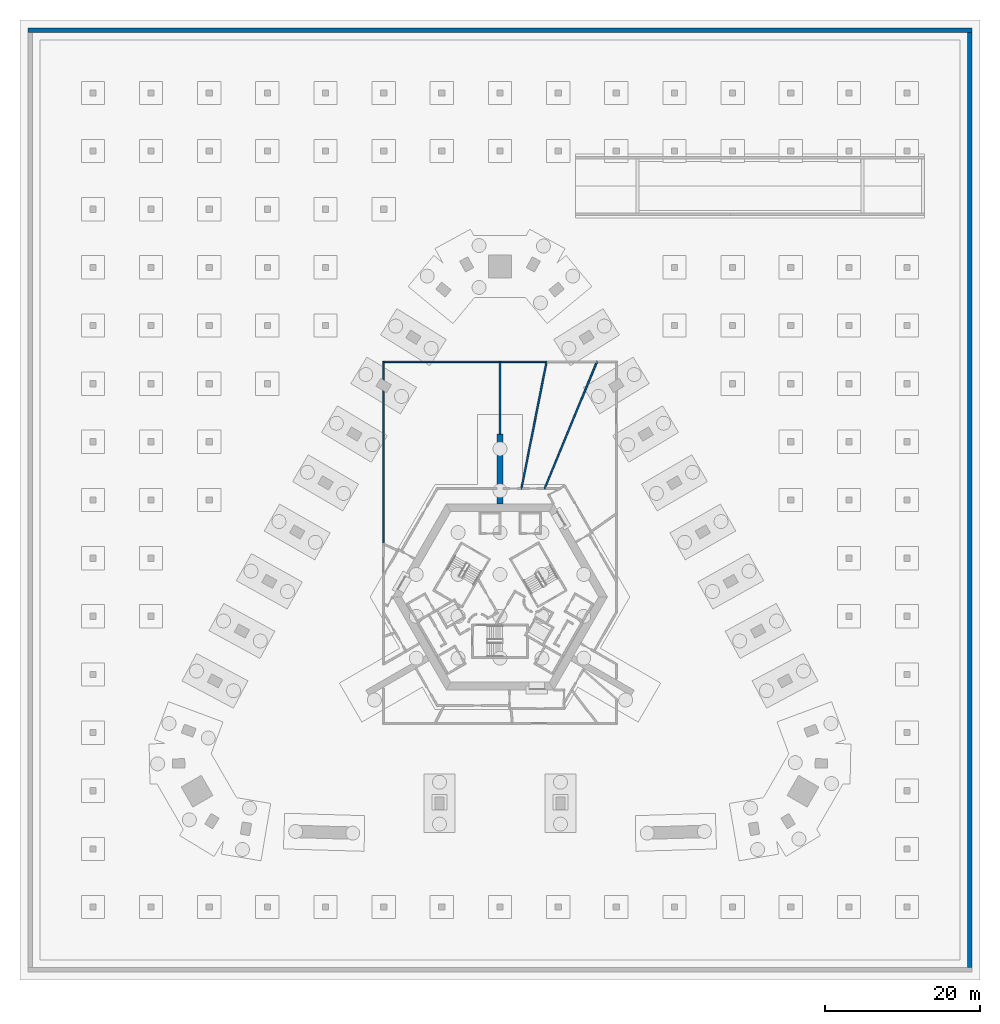
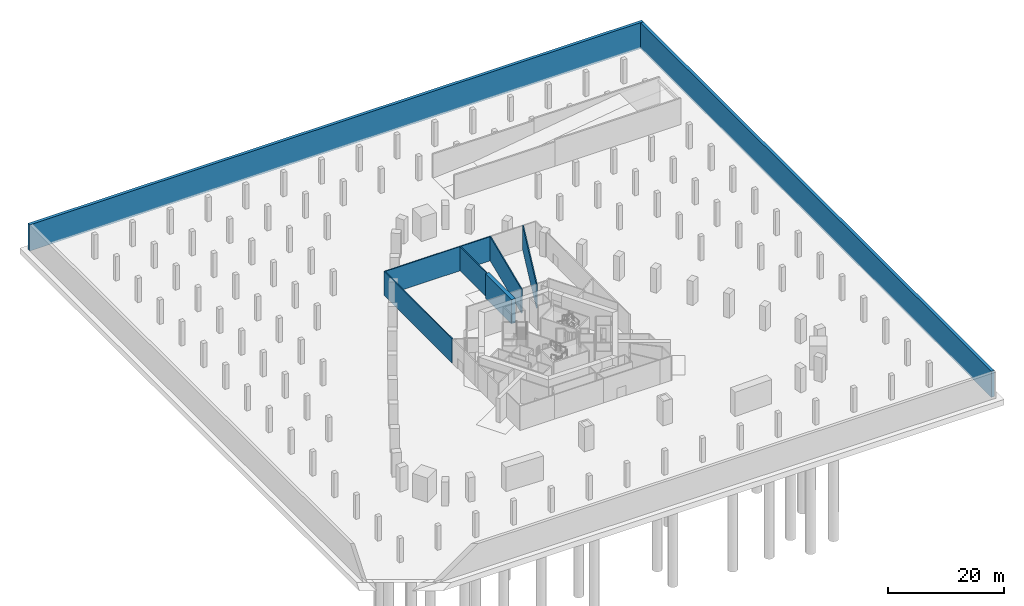
# One storey, part 9 of 14: 9 walls.
"""IFC4 building model written with IfcOpenShell, lengths in metres."""

from ifc_helpers import new_model, si_unit, direction, frame, frame_2d, origin, place, context, subcontext, project, spatial, polyline, rectangle, outline, extrude, material, layer, layer_set, type_object, element, save


model = new_model("IFC4")

# Units and contexts
model_context = context("Model", 3, precision=1e-05, world=origin(), true_north=direction((0.0, 1.0)))
body_context = subcontext(model_context, "Body", "Model", "MODEL_VIEW")
ifc_project = project(units=[si_unit("LENGTHUNIT", "METRE"), si_unit("AREAUNIT", "SQUARE_METRE"), si_unit("VOLUMEUNIT", "CUBIC_METRE"), si_unit("PLANEANGLEUNIT", "RADIAN"), si_unit("MASSUNIT", "GRAM", prefix="KILO")], contexts=[model_context])

# Site, building, storey
site_placement = place(None, origin())
site = spatial("IfcSite", under=ifc_project, at=site_placement, CompositionType="ELEMENT")
building_placement = place(site_placement, origin())
building = spatial("IfcBuilding", under=site, at=building_placement, Name="Entoto Arch Interchange Tower", CompositionType="ELEMENT")
storey_placement = place(building_placement, frame((0.0, 0.0, -16.5)))
storey = spatial("IfcBuildingStorey", under=building, at=storey_placement, Name="B3", CompositionType="ELEMENT", Elevation=-16.5)

# Walls
ifc_material_1 = material(Name="Concrete C40/50", Category="concrete")
ifc_layer_1 = layer(ifc_material_1, 0.60009765625)
ifc_layer_set_1 = layer_set([ifc_layer_1], Name="Concrete C40/50")
wall_type_1 = type_object("IfcWallType", Name="Basement retaining wall 600 C40/50", PredefinedType="SOLIDWALL", material=ifc_layer_set_1)
wall_1_placement = place(storey_placement, frame((0.0, 0.0, -0.39990234375)))
element("IfcWall", 1, at=wall_1_placement, inside=storey, type_object=wall_type_1, Name="Retaining wall B3", PredefinedType="SOLIDWALL", context=body_context, shape_type="SweptSolid", body=[
    extrude(outline(polyline([(60.89990234375, 75.300048828125), (60.89990234375, 75.89990234375), (-60.89990234375, 75.89990234375), (-60.89990234375, 75.300048828125), (60.89990234375, 75.300048828125)])), origin(), (0.0, 0.0, 1.0), 5.47998046875),
])
wall_2_placement = place(storey_placement, frame((0.0, 0.0, -0.39990234375)))
element("IfcWall", 2, at=wall_2_placement, inside=storey, type_object=wall_type_1, Name="Retaining wall B3", PredefinedType="SOLIDWALL", context=body_context, shape_type="SweptSolid", body=[
    extrude(outline(polyline([(60.89990234375, -45.300048828125), (60.89990234375, 75.300048828125), (60.300048828125, 75.300048828125), (60.300048828125, -45.300048828125), (60.89990234375, -45.300048828125)])), origin(), (0.0, 0.0, 1.0), 5.47998046875),
])
ifc_material_2 = material(Name="Concrete C60/75", Category="concrete")
ifc_layer_2 = layer(ifc_material_2, 0.800048828125)
ifc_layer_set_2 = layer_set([ifc_layer_2], Name="Concrete C60/75")
wall_type_2 = type_object("IfcWallType", Name="Buttress wall 800 C60/75", PredefinedType="SHEAR", material=ifc_layer_set_2)
wall_3_placement = place(storey_placement, frame((0.0, 14.5, 0.0), z_axis=(0.0, 0.0, 1.0), x_axis=(0.0, 1.0, 0.0)))
element("IfcWall", 3, at=wall_3_placement, inside=storey, type_object=wall_type_2, Name="Buttress wall N B3", PredefinedType="SHEAR", context=body_context, shape_type="SweptSolid", body=[
    extrude(rectangle(XDim=9.0, YDim=0.800048828125, at=frame_2d((4.5, 0.0))), origin(), (0.0, 0.0, 1.0), 5.080078125),
])
ifc_material_3 = material(Name="Gypsum board partition on steel studs", Category="steel")
ifc_layer_3 = layer(ifc_material_3, 0.199951171875)
ifc_layer_set_3 = layer_set([ifc_layer_3], Name="Gypsum board partition on steel studs")
wall_type_3 = type_object("IfcWallType", Name="PARTITION 200", PredefinedType="PARTITIONING", material=ifc_layer_set_3)
wall_4_placement = place(storey_placement, frame((5.73291015625, 16.407958984375, 0.0), z_axis=(0.0, 0.0, 1.0), x_axis=(0.381113406353, 0.924528296754, 0.0)))
element("IfcWall", 4, at=wall_4_placement, inside=storey, type_object=wall_type_3, Name="wall:B3:p041", PredefinedType="PARTITIONING", context=body_context, shape_type="SweptSolid", body=[
    extrude(rectangle(XDim=17.829833984375, YDim=0.199951171875, at=frame_2d((8.9150390625, 0.0))), origin(), (0.0, 0.0, 1.0), 5.080078125),
])
wall_5_placement = place(storey_placement, frame((2.7529296875, 16.402099609375, 0.0), z_axis=(0.0, 0.0, 1.0), x_axis=(0.194225601905, 0.98095688772, 0.0)))
element("IfcWall", 5, at=wall_5_placement, inside=storey, type_object=wall_type_3, Name="wall:B3:p045", PredefinedType="PARTITIONING", context=body_context, shape_type="SweptSolid", body=[
    extrude(rectangle(XDim=16.816162109375, YDim=0.199951171875, at=frame_2d((8.408203125, 0.0))), origin(), (0.0, 0.0, 1.0), 5.080078125),
])
wall_6_placement = place(storey_placement, frame((0.0, 23.5, 0.0), z_axis=(0.0, 0.0, 1.0), x_axis=(0.0, 1.0, 0.0)))
element("IfcWall", 6, at=wall_6_placement, inside=storey, type_object=wall_type_3, Name="wall:B3:p047", PredefinedType="PARTITIONING", context=body_context, shape_type="SweptSolid", body=[
    extrude(rectangle(XDim=9.300048828125, YDim=0.199951171875, at=frame_2d((4.64990234375, 0.0))), origin(), (0.0, 0.0, 1.0), 5.080078125),
])
wall_7_placement = place(storey_placement, frame((0.10009765625, 32.800048828125, 0.0), z_axis=(0.0, 0.0, 1.0), x_axis=(1.0, 0.0, 0.0)))
element("IfcWall", 7, at=wall_7_placement, inside=storey, type_object=wall_type_3, Name="wall:B3:p048", PredefinedType="PARTITIONING", context=body_context, shape_type="SweptSolid", body=[
    extrude(rectangle(XDim=5.7998046875, YDim=0.199951171875, at=frame_2d((2.89990234375, 0.0))), origin(), (0.0, 0.0, 1.0), 5.080078125),
])
wall_8_placement = place(storey_placement, frame((-15.0, 9.405029296875, 0.0), z_axis=(0.0, 0.0, 1.0), x_axis=(0.0, 1.0, 0.0)))
element("IfcWall", 8, at=wall_8_placement, inside=storey, type_object=wall_type_3, Name="wall:B3:p063", PredefinedType="PARTITIONING", context=body_context, shape_type="SweptSolid", body=[
    extrude(rectangle(XDim=23.494873046875, YDim=0.199951171875, at=frame_2d((11.74755859375, 0.0))), origin(), (0.0, 0.0, 1.0), 5.080078125),
])
wall_9_placement = place(storey_placement, frame((-14.89990234375, 32.800048828125, 0.0), z_axis=(0.0, 0.0, 1.0), x_axis=(1.0, 0.0, 0.0)))
element("IfcWall", 9, at=wall_9_placement, inside=storey, type_object=wall_type_3, Name="wall:B3:p064", PredefinedType="PARTITIONING", context=body_context, shape_type="SweptSolid", body=[
    extrude(rectangle(XDim=15.0, YDim=0.199951171875, at=frame_2d((7.5, 0.0))), origin(), (0.0, 0.0, 1.0), 5.080078125),
])

save(model, "model.ifc")
